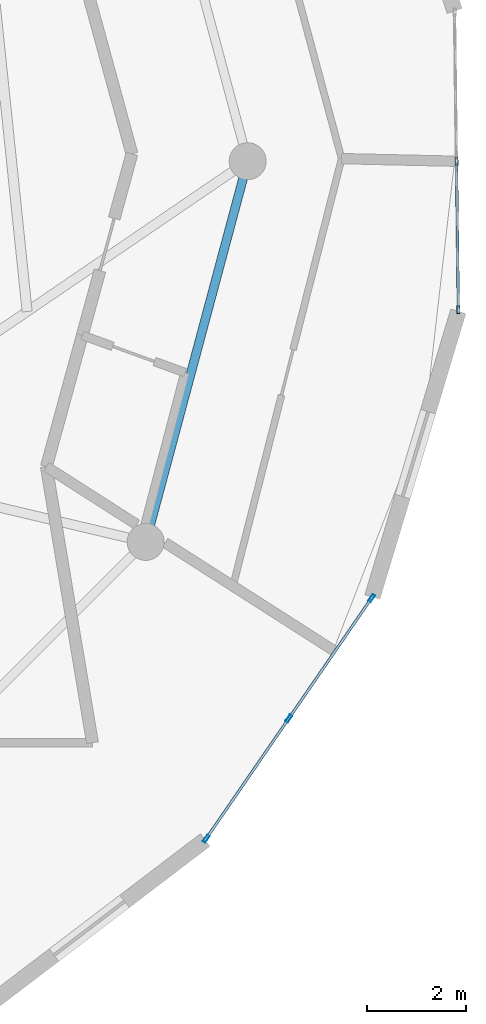
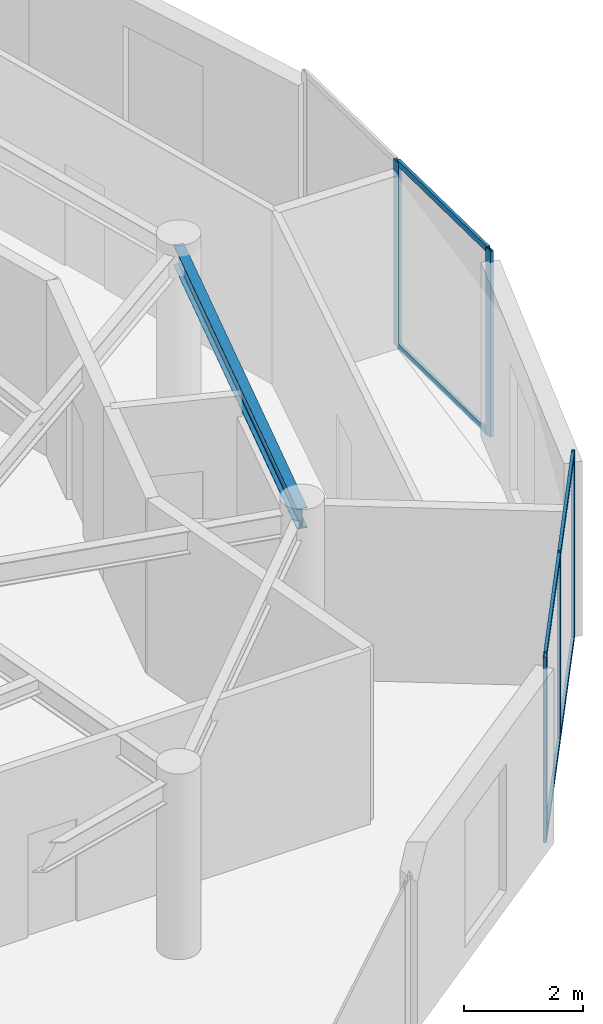
# One storey, part 8 of 18: 11 members, 1 beam, 2 elements without a shape of their own.
"""IFC4 building model written with IfcOpenShell, lengths in metres."""

import ifcopenshell
import ifcopenshell.guid

model = None  # the IFC model being written
_history = None  # IfcOwnerHistory: only IFC2X3 demands one
_inside = {}  # id of a spatial element -> (the spatial element, [elements in it])
_under = {}  # id of a project, library or spatial element -> (it, [spatial elements below it])
_declared = {}  # id of a project -> (the project, [libraries it declares])
_typed = {}  # id of a type object -> (the type object, [elements of that type])
_made_of = {}  # id of a material, layer set ... -> (it, [elements and type objects made of it])


def new_model(schema):
    """Start an empty IFC model of exactly this schema.

    Asked for "IFC4X3", IfcOpenShell would pick the latest addendum, in which some entities
    have other attributes; the version numbers below select the first issue.
    IFC2X3 requires an IfcOwnerHistory on every rooted entity: one is made here for all.
    """
    global model, _history
    if schema == "IFC4X3":
        model = ifcopenshell.file(schema_version=(4, 3, 0, 0))
    else:
        model = ifcopenshell.file(schema=schema)
    _inside.clear()
    _under.clear()
    _declared.clear()
    _typed.clear()
    _made_of.clear()
    _history = None
    if model.schema == "IFC2X3":
        org = make("IfcOrganization", Name="unknown")
        user = make(
            "IfcPersonAndOrganization",
            ThePerson=make("IfcPerson", FamilyName="unknown"),
            TheOrganization=org,
        )
        app = make(
            "IfcApplication",
            ApplicationDeveloper=org,
            Version="unknown",
            ApplicationFullName="unknown",
            ApplicationIdentifier="unknown",
        )
        _history = make(
            "IfcOwnerHistory",
            OwningUser=user,
            OwningApplication=app,
            ChangeAction="ADDED",
            CreationDate=0,
        )
    return model


def make(cls, **values):
    """One entity of the class cls with the attributes given. An attribute that is None is left unset."""
    return model.create_entity(
        cls, **{name: value for name, value in values.items() if value is not None}
    )


def rooted(cls, **values):
    """An entity with a GlobalId (a new one), such as an element, a storey or a relation."""
    return make(cls, GlobalId=ifcopenshell.guid.new(), OwnerHistory=_history, **values)


def si_unit(unit_type, name, prefix=None):
    """IfcSIUnit, for example si_unit("LENGTHUNIT", "METRE", prefix="MILLI")."""
    return make("IfcSIUnit", UnitType=unit_type, Prefix=prefix, Name=name)


def assignment(units):
    """IfcUnitAssignment: the units of a project."""
    return None if units is None else make("IfcUnitAssignment", Units=units)


def point(xyz):
    """IfcCartesianPoint."""
    return None if xyz is None else make("IfcCartesianPoint", Coordinates=xyz)


def direction(xyz):
    """IfcDirection."""
    return None if xyz is None else make("IfcDirection", DirectionRatios=xyz)


def frame(location, z_axis=None, x_axis=None):
    """IfcAxis2Placement3D, a coordinate frame: its origin and axes. An axis left out is left unset."""
    return make(
        "IfcAxis2Placement3D",
        Location=point(location),
        Axis=direction(z_axis),
        RefDirection=direction(x_axis),
    )


def frame_2d(location, x_axis=None):
    """IfcAxis2Placement2D, a coordinate frame in the plane: its origin and x axis."""
    return make(
        "IfcAxis2Placement2D", Location=point(location), RefDirection=direction(x_axis)
    )


def origin():
    """The frame at (0, 0, 0) with its axes left unset."""
    return frame((0.0, 0.0, 0.0))


def origin_2d():
    """The frame at (0, 0) in the plane with its x axis left unset."""
    return frame_2d((0.0, 0.0))


def place(relative_to, where):
    """IfcLocalPlacement: puts the frame where relative to a parent placement (None: the world)."""
    return make(
        "IfcLocalPlacement", PlacementRelTo=relative_to, RelativePlacement=where
    )


def context(
    kind, dimensions, precision=None, world=None, true_north=None, identifier=None
):
    """IfcGeometricRepresentationContext, for example the 3D "Model" context."""
    return make(
        "IfcGeometricRepresentationContext",
        ContextIdentifier=identifier,
        ContextType=kind,
        CoordinateSpaceDimension=dimensions,
        Precision=precision,
        WorldCoordinateSystem=world,
        TrueNorth=true_north,
    )


def subcontext(parent, identifier, kind, view, scale=None):
    """IfcGeometricRepresentationSubContext, for example "Body" below "Model"."""
    return make(
        "IfcGeometricRepresentationSubContext",
        ContextIdentifier=identifier,
        ContextType=kind,
        ParentContext=parent,
        TargetScale=scale,
        TargetView=view,
    )


def project(units=None, contexts=None):
    """IfcProject with its units and contexts."""
    return rooted(
        "IfcProject",
        Name="project",
        RepresentationContexts=contexts,
        UnitsInContext=assignment(units),
    )


def spatial(cls, under=None, at=None, **own):
    """A site, building, storey or space (cls), placed at a placement, below another one or the project."""
    s = rooted(cls, ObjectPlacement=at, **own)
    if under is not None:
        _under.setdefault(under.id(), (under, []))[1].append(s)
    return s


def profile(cls, at=None, kind="AREA", **sizes):
    """A parametric profile (cls). Its sizes go by their IFC names, for example OverallWidth=200.0."""
    return make(cls, ProfileType=kind, Position=at, **sizes)


def hollow_rectangle(**sizes):
    """IfcRectangleHollowProfileDef."""
    return profile("IfcRectangleHollowProfileDef", **sizes)


def i_section(**sizes):
    """IfcIShapeProfileDef."""
    return profile("IfcIShapeProfileDef", **sizes)


def extrude(swept, where, along, depth):
    """IfcExtrudedAreaSolid: the profile swept, set in the frame where, extruded along a direction by depth."""
    return make(
        "IfcExtrudedAreaSolid",
        SweptArea=swept,
        Position=where,
        ExtrudedDirection=direction(along),
        Depth=depth,
    )


def shape(context_of_items, identifier, shape_type, items):
    """IfcShapeRepresentation: the items that make up one representation, for example the "Body"."""
    return make(
        "IfcShapeRepresentation",
        ContextOfItems=context_of_items,
        RepresentationIdentifier=identifier,
        RepresentationType=shape_type,
        Items=items,
    )


def source(mapping_origin, context_of_items, identifier, shape_type, items):
    """IfcRepresentationMap: a shape defined once, which mapped items show again and again."""
    return make(
        "IfcRepresentationMap",
        MappingOrigin=mapping_origin,
        MappedRepresentation=shape(context_of_items, identifier, shape_type, items),
    )


def transform(
    local_origin,
    x_axis=None,
    y_axis=None,
    z_axis=None,
    scale=None,
    scale2=None,
    scale3=None,
    uniform=True,
):
    """IfcCartesianTransformationOperator3D, or its non-uniform kind. x_axis, y_axis, z_axis: its Axis1, 2, 3."""
    if uniform:
        return make(
            "IfcCartesianTransformationOperator3D",
            Axis1=direction(x_axis),
            Axis2=direction(y_axis),
            LocalOrigin=point(local_origin),
            Scale=scale,
            Axis3=direction(z_axis),
        )
    return make(
        "IfcCartesianTransformationOperator3DnonUniform",
        Axis1=direction(x_axis),
        Axis2=direction(y_axis),
        LocalOrigin=point(local_origin),
        Scale=scale,
        Axis3=direction(z_axis),
        Scale2=scale2,
        Scale3=scale3,
    )


def mapped(mapping_source, mapping_target):
    """IfcMappedItem: shows the shape of a source again, moved by a transform."""
    return make(
        "IfcMappedItem", MappingSource=mapping_source, MappingTarget=mapping_target
    )


def material(Name=None, Category=None):
    """IfcMaterial."""
    return make("IfcMaterial", Name=Name, Category=Category)


def layer(
    of_material, thickness, ventilated=None, Name=None, Category=None, Priority=None
):
    """IfcMaterialLayer: one layer of a wall or slab, of a material (None: an air gap)."""
    return make(
        "IfcMaterialLayer",
        Material=of_material,
        LayerThickness=thickness,
        IsVentilated=ventilated,
        Name=Name,
        Category=Category,
        Priority=Priority,
    )


def layer_set(layers, Name=None):
    """IfcMaterialLayerSet."""
    return make("IfcMaterialLayerSet", MaterialLayers=layers, LayerSetName=Name)


def material_profile(
    of_material, cross_section, Name=None, Category=None, Priority=None
):
    """IfcMaterialProfile: a cross section and its material."""
    return make(
        "IfcMaterialProfile",
        Name=Name,
        Material=of_material,
        Profile=cross_section,
        Priority=Priority,
        Category=Category,
    )


def profile_set(profiles, Name=None, composite=None):
    """IfcMaterialProfileSet."""
    return make(
        "IfcMaterialProfileSet",
        Name=Name,
        MaterialProfiles=profiles,
        CompositeProfile=composite,
    )


def made_of(thing, what):
    """Note that an element or type object is made of a material, layer set ...; save() writes the relation."""
    if what is not None:
        _made_of.setdefault(what.id(), (what, []))[1].append(thing)
    return thing


def type_object(cls, material=None, **own):
    """A type object (cls), such as IfcWallType, which elements share."""
    return made_of(rooted(cls, **own), material)


def element(
    cls,
    number,
    at=None,
    inside=None,
    cuts=None,
    type_object=None,
    material=None,
    context=None,
    identifier="Body",
    shape_type=None,
    held_by="IfcProductDefinitionShape",
    body=None,
    shapes=None,
    **own,
):
    """One element of the class cls, such as IfcWall. Its Tag is "e" and its number.

    at: its placement. inside: the storey or other place that contains it. cuts: it is an
    opening in that element (IfcRelVoidsElement). A single representation is given by context,
    identifier, shape_type and body (its items); several are given by shapes. held_by: the class
    of the entity that holds the representations. save() writes the other relations.
    """
    e = rooted(cls, Tag="e%d" % number, ObjectPlacement=at, **own)
    if body is not None:
        shapes = [shape(context, identifier, shape_type, body)]
    if shapes is not None:
        e.Representation = make(held_by, Representations=shapes)
    if inside is not None:
        _inside.setdefault(inside.id(), (inside, []))[1].append(e)
    if cuts is not None:
        rooted(
            "IfcRelVoidsElement", RelatingBuildingElement=cuts, RelatedOpeningElement=e
        )
    if type_object is not None:
        _typed.setdefault(type_object.id(), (type_object, []))[1].append(e)
    return made_of(e, material)


def aggregate(whole, parts):
    """IfcRelAggregates: a whole, such as a stair, and the parts it consists of."""
    return rooted("IfcRelAggregates", RelatingObject=whole, RelatedObjects=parts)


def save(model, path):
    """Write the relations noted so far, then the file.

    IfcRelAggregates (storeys below a building ...), IfcRelContainedInSpatialStructure (elements
    in a storey), IfcRelDefinesByType, IfcRelAssociatesMaterial and IfcRelDeclares: one each for
    every whole, place, type object, material and project.
    """
    for whole, parts in _under.values():
        aggregate(whole, parts)
    for where, things in _inside.values():
        rooted(
            "IfcRelContainedInSpatialStructure",
            RelatedElements=things,
            RelatingStructure=where,
        )
    for kind, things in _typed.values():
        rooted("IfcRelDefinesByType", RelatedObjects=things, RelatingType=kind)
    for what, things in _made_of.values():
        rooted("IfcRelAssociatesMaterial", RelatedObjects=things, RelatingMaterial=what)
    for by, libraries in _declared.values():
        rooted("IfcRelDeclares", RelatingContext=by, RelatedDefinitions=libraries)
    model.write(path)


model = new_model("IFC4")

# Units and contexts
model_context = context("Model", 3, precision=1e-05, world=origin(), true_north=direction((0.0, 1.0)))
body_context = subcontext(model_context, "Body", "Model", "MODEL_VIEW")
ifc_project = project(units=[si_unit("LENGTHUNIT", "METRE"), si_unit("AREAUNIT", "SQUARE_METRE"), si_unit("VOLUMEUNIT", "CUBIC_METRE"), si_unit("PLANEANGLEUNIT", "RADIAN"), si_unit("MASSUNIT", "GRAM", prefix="KILO")], contexts=[model_context])

# Site, building, storey
site_placement = place(None, origin())
site = spatial("IfcSite", under=ifc_project, at=site_placement, CompositionType="ELEMENT")
building_placement = place(site_placement, origin())
building = spatial("IfcBuilding", under=site, at=building_placement, Name="Solvirekh Grand Hotel", CompositionType="ELEMENT")
storey_placement = place(building_placement, frame((0.0, 0.0, 250.60009765625)))
storey = spatial("IfcBuildingStorey", under=building, at=storey_placement, Name="L65", CompositionType="ELEMENT", Elevation=250.60009765625)

# Beam
ifc_material_1 = material(Name="Steel S355", Category="steel")
ifc_material_profile_1 = material_profile(ifc_material_1, i_section(OverallWidth=0.180908203125, OverallDepth=0.4169921875, WebThickness=0.010009765625, FlangeThickness=0.01611328125, FilletRadius=0.011962890625, at=origin_2d()), Name="W410X85")
ifc_profile_set_1 = profile_set([ifc_material_profile_1], Name="Steel S355")
beam_type = type_object("IfcBeamType", Name="Spandrel_Ring_W410", PredefinedType="SPANDREL", material=ifc_profile_set_1)
beam_placement = place(storey_placement, frame((13.3798828125, -7.72509765625, 3.36181640625), z_axis=(0.258834757072, 0.965921616143, 0.0), x_axis=(-0.965921616143, 0.258834757072, 0.0)))
element("IfcBeam", 1, at=beam_placement, inside=storey, type_object=beam_type, Name="L65 perimeter spandrel beam 12", PredefinedType="SPANDREL", context=body_context, shape_type="SweptSolid", body=[
    extrude(i_section(OverallWidth=0.180908203125, OverallDepth=0.4169921875, WebThickness=0.010009765625, FlangeThickness=0.01611328125, FilletRadius=0.011962890625, at=origin_2d()), origin(), (0.0, 0.0, 1.0), 7.99755859375),
])

# Curtain wall, members
ifc_material_2 = material(Name="Anodized Bronze Aluminium 6063-T6", Category="aluminium")
ifc_layer = layer(ifc_material_2, 0.159912109375)
ifc_layer_set = layer_set([ifc_layer], Name="Anodized Bronze Aluminium 6063-T6")
curtain_wall_type = type_object("IfcCurtainWallType", Name="CW_Sys4_HighZoneFlushBronzeCW", PredefinedType="NOTDEFINED", material=ifc_layer_set)
curtain_wall_1_placement = place(storey_placement, origin())
curtain_wall_1 = element("IfcCurtainWall", 2, at=curtain_wall_1_placement, inside=storey, type_object=curtain_wall_type, Name="L65 unitised bronze-glass curtain wall CW-L65-C03", PredefinedType="NOTDEFINED")
ifc_material_profile_2 = material_profile(ifc_material_2, hollow_rectangle(XDim=0.054931640625, YDim=0.1201171875, WallThickness=0.00390625, at=origin_2d()), Name="ALU RHS 120X55X4")
ifc_profile_set_2 = profile_set([ifc_material_profile_2], Name="Anodized Bronze Aluminium 6063-T6")
member_type_1 = type_object("IfcMemberType", Name="CWTransom_Sys4", PredefinedType="USERDEFINED", material=ifc_profile_set_2)
shared_shape_1 = source(origin(), body_context, "Body", "SweptSolid", [
    extrude(hollow_rectangle(XDim=0.054931640625, YDim=0.1201171875, WallThickness=0.00390625, at=origin_2d()), origin(), (0.0, 0.0, 1.0), 2.90234375),
])
member_1_placement = place(storey_placement, frame((14.6240234375, -13.7236328125, 0.02734375), z_axis=(0.566639491645, 0.823965828483, 0.0), x_axis=(-0.823965828483, 0.566639491645, 0.0)))
member_1 = element("IfcMember", 3, at=member_1_placement, type_object=member_type_1, Name="U04 transom 1.1", ObjectType="TRANSOM", PredefinedType="USERDEFINED", context=body_context, shape_type="MappedRepresentation", body=[
    mapped(shared_shape_1, transform((0.0, 0.0, 0.0), x_axis=(1.0, 0.0, 0.0), y_axis=(0.0, 1.0, 0.0), z_axis=(0.0, 0.0, 1.0), scale=1.0)),
])
member_2_placement = place(storey_placement, frame((14.6240234375, -13.7236328125, 3.7724609375), z_axis=(0.566639491645, 0.823965828483, 0.0), x_axis=(-0.823965828483, 0.566639491645, 0.0)))
member_2 = element("IfcMember", 4, at=member_2_placement, type_object=member_type_1, Name="U04 transom 1.2", ObjectType="TRANSOM", PredefinedType="USERDEFINED", context=body_context, shape_type="MappedRepresentation", body=[
    mapped(shared_shape_1, transform((0.0, 0.0, 0.0), x_axis=(1.0, 0.0, 0.0), y_axis=(0.0, 1.0, 0.0), z_axis=(0.0, 0.0, 1.0), scale=1.0)),
])
member_3_placement = place(storey_placement, frame((16.302490234375, -11.28271484375, 0.02734375), z_axis=(0.566639491645, 0.823965828483, 0.0), x_axis=(-0.823965828483, 0.566639491645, 0.0)))
member_3 = element("IfcMember", 5, at=member_3_placement, type_object=member_type_1, Name="U04 transom 2.1", ObjectType="TRANSOM", PredefinedType="USERDEFINED", context=body_context, shape_type="MappedRepresentation", body=[
    mapped(shared_shape_1, transform((0.0, 0.0, 0.0), x_axis=(1.0, 0.0, 0.0), y_axis=(0.0, 1.0, 0.0), z_axis=(0.0, 0.0, 1.0), scale=1.0)),
])
member_4_placement = place(storey_placement, frame((16.302490234375, -11.28271484375, 3.7724609375), z_axis=(0.566639491645, 0.823965828483, 0.0), x_axis=(-0.823965828483, 0.566639491645, 0.0)))
member_4 = element("IfcMember", 6, at=member_4_placement, type_object=member_type_1, Name="U04 transom 2.2", ObjectType="TRANSOM", PredefinedType="USERDEFINED", context=body_context, shape_type="MappedRepresentation", body=[
    mapped(shared_shape_1, transform((0.0, 0.0, 0.0), x_axis=(1.0, 0.0, 0.0), y_axis=(0.0, 1.0, 0.0), z_axis=(0.0, 0.0, 1.0), scale=1.0)),
])
ifc_material_profile_3 = material_profile(ifc_material_2, hollow_rectangle(XDim=0.06005859375, YDim=0.159912109375, WallThickness=0.0048828125, at=origin_2d()), Name="ALU RHS 160X60X5")
ifc_profile_set_3 = profile_set([ifc_material_profile_3], Name="Anodized Bronze Aluminium 6063-T6")
member_type_2 = type_object("IfcMemberType", Name="CWMullion_Sys4", PredefinedType="MULLION", material=ifc_profile_set_3)
shared_shape_2 = source(origin(), body_context, "Body", "SweptSolid", [
    extrude(hollow_rectangle(XDim=0.06005859375, YDim=0.159912109375, WallThickness=0.0048828125, at=origin_2d()), origin(), (0.0, 0.0, 1.0), 3.7998046875),
])
member_5_placement = place(storey_placement, frame((14.60693359375, -13.748291015625, 0.0), z_axis=(0.0, 0.0, 1.0), x_axis=(-0.823968783493, 0.566635194661, 0.0)))
member_5 = element("IfcMember", 7, at=member_5_placement, type_object=member_type_2, Name="U04 mullion 1", PredefinedType="MULLION", context=body_context, shape_type="MappedRepresentation", body=[
    mapped(shared_shape_2, transform((0.0, 0.0, 0.0), x_axis=(1.0, 0.0, 0.0), y_axis=(0.0, 1.0, 0.0), z_axis=(0.0, 0.0, 1.0), scale=1.0)),
])
member_6_placement = place(storey_placement, frame((16.285400390625, -11.3076171875, 0.0), z_axis=(0.0, 0.0, 1.0), x_axis=(-0.823968783493, 0.566635194661, 0.0)))
member_6 = element("IfcMember", 8, at=member_6_placement, type_object=member_type_2, Name="U04 mullion 2", PredefinedType="MULLION", context=body_context, shape_type="MappedRepresentation", body=[
    mapped(shared_shape_2, transform((0.0, 0.0, 0.0), x_axis=(1.0, 0.0, 0.0), y_axis=(0.0, 1.0, 0.0), z_axis=(0.0, 0.0, 1.0), scale=1.0)),
])
member_7_placement = place(storey_placement, frame((17.964111328125, -8.86669921875, 0.0), z_axis=(0.0, 0.0, 1.0), x_axis=(-0.823968783493, 0.566635194661, 0.0)))
member_7 = element("IfcMember", 9, at=member_7_placement, type_object=member_type_2, Name="U04 mullion 3", PredefinedType="MULLION", context=body_context, shape_type="MappedRepresentation", body=[
    mapped(shared_shape_2, transform((0.0, 0.0, 0.0), x_axis=(1.0, 0.0, 0.0), y_axis=(0.0, 1.0, 0.0), z_axis=(0.0, 0.0, 1.0), scale=1.0)),
])
aggregate(curtain_wall_1, [member_5, member_6, member_7, member_1, member_2, member_3, member_4])

curtain_wall_2_placement = place(storey_placement, origin())
curtain_wall_2 = element("IfcCurtainWall", 10, at=curtain_wall_2_placement, inside=storey, type_object=curtain_wall_type, Name="L65 unitised bronze-glass curtain wall CW-L65-C05", PredefinedType="NOTDEFINED")
member_8_placement = place(storey_placement, frame((19.724609375, -3.014892578125, 0.0), z_axis=(0.0, 0.0, 1.0), x_axis=(-0.999924275171, -0.012306255446, 0.0)))
member_8 = element("IfcMember", 11, at=member_8_placement, type_object=member_type_2, Name="U04 mullion 1", PredefinedType="MULLION", context=body_context, shape_type="MappedRepresentation", body=[
    mapped(shared_shape_2, transform((0.0, 0.0, 0.0), x_axis=(1.0, 0.0, 0.0), y_axis=(0.0, 1.0, 0.0), z_axis=(0.0, 0.0, 1.0), scale=1.0)),
])
member_9_placement = place(storey_placement, frame((19.6875, 0.001953125, 0.0), z_axis=(0.0, 0.0, 1.0), x_axis=(-0.999924275171, -0.012306255446, 0.0)))
member_9 = element("IfcMember", 12, at=member_9_placement, type_object=member_type_2, Name="U04 mullion 2", PredefinedType="MULLION", context=body_context, shape_type="MappedRepresentation", body=[
    mapped(shared_shape_2, transform((0.0, 0.0, 0.0), x_axis=(1.0, 0.0, 0.0), y_axis=(0.0, 1.0, 0.0), z_axis=(0.0, 0.0, 1.0), scale=1.0)),
])
shared_shape_3 = source(origin(), body_context, "Body", "SweptSolid", [
    extrude(hollow_rectangle(XDim=0.054931640625, YDim=0.1201171875, WallThickness=0.00390625, at=origin_2d()), origin(), (0.0, 0.0, 1.0), 2.957275390625),
])
member_10_placement = place(storey_placement, frame((19.724365234375, -2.985107421875, 0.02734375), z_axis=(-0.012300918658, 0.999924340838, 0.0), x_axis=(-0.999924340838, -0.012300918658, 0.0)))
member_10 = element("IfcMember", 13, at=member_10_placement, type_object=member_type_1, Name="U04 transom 1.1", ObjectType="TRANSOM", PredefinedType="USERDEFINED", context=body_context, shape_type="MappedRepresentation", body=[
    mapped(shared_shape_3, transform((0.0, 0.0, 0.0), x_axis=(1.0, 0.0, 0.0), y_axis=(0.0, 1.0, 0.0), z_axis=(0.0, 0.0, 1.0), scale=1.0)),
])
member_11_placement = place(storey_placement, frame((19.724365234375, -2.985107421875, 3.7724609375), z_axis=(-0.012300918658, 0.999924340838, 0.0), x_axis=(-0.999924340838, -0.012300918658, 0.0)))
member_11 = element("IfcMember", 14, at=member_11_placement, type_object=member_type_1, Name="U04 transom 1.2", ObjectType="TRANSOM", PredefinedType="USERDEFINED", context=body_context, shape_type="MappedRepresentation", body=[
    mapped(shared_shape_3, transform((0.0, 0.0, 0.0), x_axis=(1.0, 0.0, 0.0), y_axis=(0.0, 1.0, 0.0), z_axis=(0.0, 0.0, 1.0), scale=1.0)),
])
aggregate(curtain_wall_2, [member_8, member_9, member_10, member_11])

save(model, "model.ifc")
